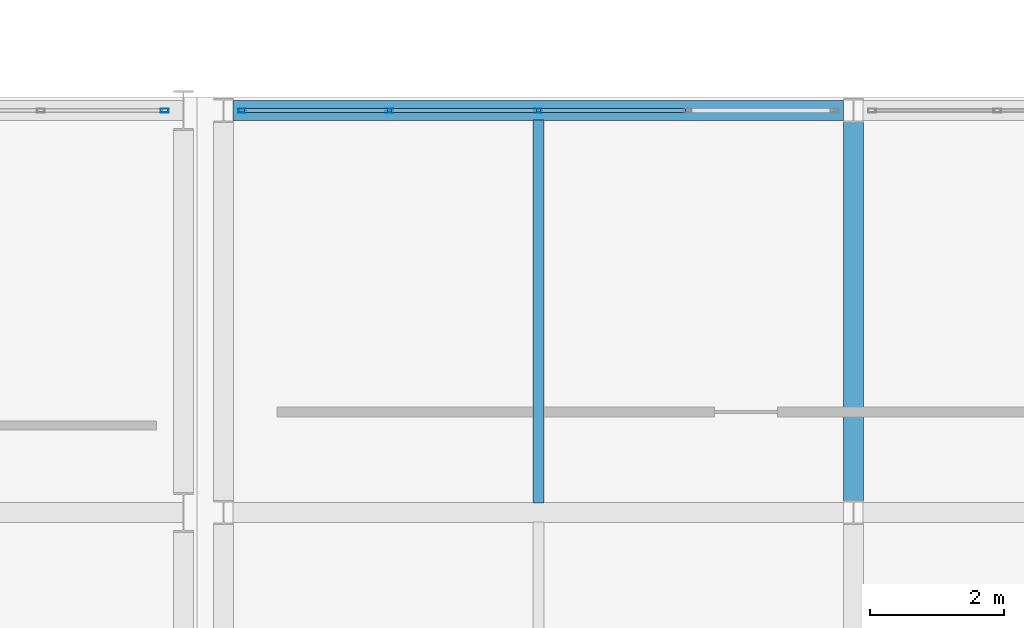
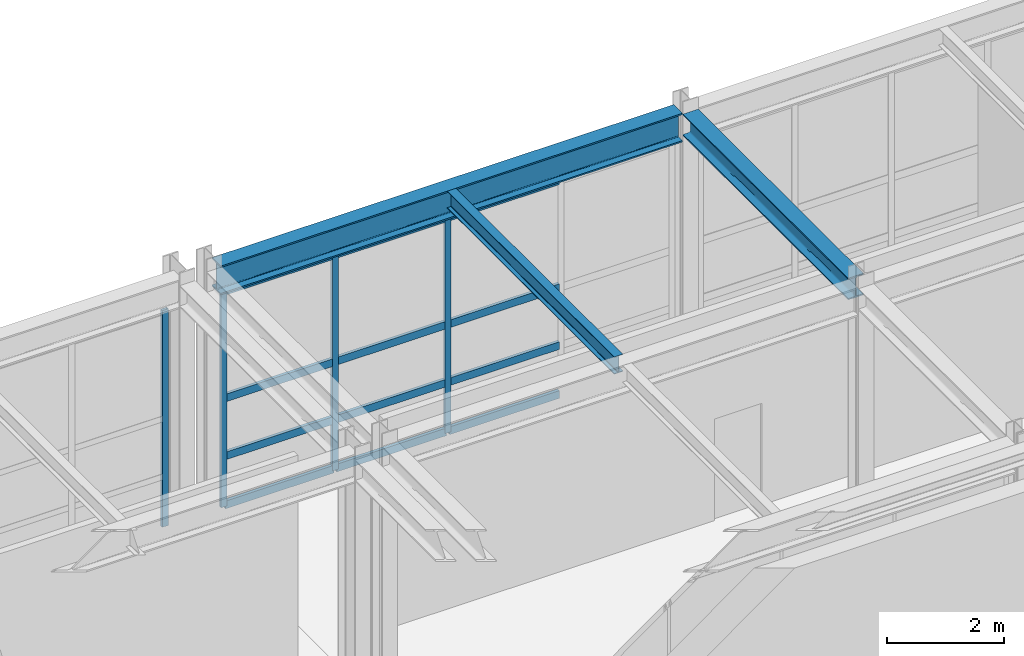
# One storey, part 127 of 210: 16 members, 3 beams, 2 elements without a shape of their own.
"""IFC4 building model written with IfcOpenShell, lengths in metres."""

from ifc_helpers import new_model, si_unit, direction, frame, origin, origin_2d, place, context, subcontext, project, spatial, hollow_rectangle, i_section, extrude, material, material_profile, profile_set, type_object, element, aggregate, save


model = new_model("IFC4")

# Units and contexts
model_context = context("Model", 3, precision=1e-05, world=origin(), true_north=direction((0.0, 1.0)))
body_context = subcontext(model_context, "Body", "Model", "MODEL_VIEW")
ifc_project = project(units=[si_unit("LENGTHUNIT", "METRE"), si_unit("AREAUNIT", "SQUARE_METRE"), si_unit("VOLUMEUNIT", "CUBIC_METRE"), si_unit("PLANEANGLEUNIT", "RADIAN"), si_unit("MASSUNIT", "GRAM", prefix="KILO")], contexts=[model_context])

# Site, building, storey
site_placement = place(None, origin())
site = spatial("IfcSite", under=ifc_project, at=site_placement, CompositionType="ELEMENT")
building_placement = place(site_placement, origin())
building = spatial("IfcBuilding", under=site, at=building_placement, Name="Kaldris Quays Convention Centre", CompositionType="ELEMENT")
storey_placement = place(building_placement, frame((0.0, 0.0, 6.0)))
storey = spatial("IfcBuildingStorey", under=building, at=storey_placement, Name="L01", CompositionType="ELEMENT", Elevation=6.0)

# Curtain wall, member
ifc_material_1 = material(Name="Anodized aluminium AW-6060 and triple glazing", Category="aluminium")
curtain_wall_type_1 = type_object("IfcCurtainWallType", Name="UNITISED CURTAIN WALL CW05", PredefinedType="NOTDEFINED", material=ifc_material_1)
curtain_wall_1_placement = place(storey_placement, origin())
curtain_wall_1 = element("IfcCurtainWall", 1, at=curtain_wall_1_placement, inside=storey, type_object=curtain_wall_type_1, Name="L01 Unitised Curtain Wall CW05 140", PredefinedType="NOTDEFINED")
ifc_material_2 = material(Name="Anodized aluminium AW-6060", Category="aluminium")
ifc_material_profile_1 = material_profile(ifc_material_2, hollow_rectangle(XDim=0.06005859375, YDim=0.1201171875, WallThickness=0.00390625, at=origin_2d()), Name="RHS 120x60x4")
ifc_profile_set_1 = profile_set([ifc_material_profile_1], Name="Anodized aluminium AW-6060")
member_type_1 = type_object("IfcMemberType", Name="CURTAIN MULLION CWM3", PredefinedType="MULLION", material=ifc_profile_set_1)
member_1_placement = place(storey_placement, frame((163.719970703125, 116.0, 0.0), z_axis=(0.0, 0.0, 1.0), x_axis=(0.0, 1.0, 0.0)))
member_1 = element("IfcMember", 2, at=member_1_placement, type_object=member_type_1, Name="CW05 mullion 10", PredefinedType="MULLION", context=body_context, shape_type="SweptSolid", body=[
    extrude(hollow_rectangle(XDim=0.06005859375, YDim=0.1201171875, WallThickness=0.00390625, at=origin_2d()), origin(), (0.0, 0.0, 1.0), 4.51806640625),
])
aggregate(curtain_wall_1, [member_1])

# Curtain wall, members
curtain_wall_type_2 = type_object("IfcCurtainWallType", Name="UNITISED CURTAIN WALL CW06", PredefinedType="NOTDEFINED", material=ifc_material_1)
curtain_wall_2_placement = place(storey_placement, origin())
curtain_wall_2 = element("IfcCurtainWall", 3, at=curtain_wall_2_placement, inside=storey, type_object=curtain_wall_type_2, Name="L01 Unitised Curtain Wall CW06 159", PredefinedType="NOTDEFINED")
member_2_placement = place(storey_placement, frame((164.8798828125, 116.0, 0.0), z_axis=(0.0, 0.0, 1.0), x_axis=(0.0, 1.0, 0.0)))
member_2 = element("IfcMember", 4, at=member_2_placement, type_object=member_type_1, Name="CW06 mullion 1", PredefinedType="MULLION", context=body_context, shape_type="SweptSolid", body=[
    extrude(hollow_rectangle(XDim=0.06005859375, YDim=0.1201171875, WallThickness=0.00390625, at=origin_2d()), origin(), (0.0, 0.0, 1.0), 4.51806640625),
])
member_3_placement = place(storey_placement, frame((167.074951171875, 116.0, 0.0), z_axis=(0.0, 0.0, 1.0), x_axis=(0.0, 1.0, 0.0)))
member_3 = element("IfcMember", 5, at=member_3_placement, type_object=member_type_1, Name="CW06 mullion 2", PredefinedType="MULLION", context=body_context, shape_type="SweptSolid", body=[
    extrude(hollow_rectangle(XDim=0.06005859375, YDim=0.1201171875, WallThickness=0.00390625, at=origin_2d()), origin(), (0.0, 0.0, 1.0), 4.51806640625),
])
member_4_placement = place(storey_placement, frame((169.300048828125, 116.0, 0.0), z_axis=(0.0, 0.0, 1.0), x_axis=(0.0, 1.0, 0.0)))
member_4 = element("IfcMember", 6, at=member_4_placement, type_object=member_type_1, Name="CW06 mullion 3", PredefinedType="MULLION", context=body_context, shape_type="SweptSolid", body=[
    extrude(hollow_rectangle(XDim=0.06005859375, YDim=0.1201171875, WallThickness=0.00390625, at=origin_2d()), origin(), (0.0, 0.0, 1.0), 4.51806640625),
])
ifc_material_profile_2 = material_profile(ifc_material_2, hollow_rectangle(XDim=0.06005859375, YDim=0.159912109375, WallThickness=0.00390625, at=origin_2d()), Name="RHS 160x60x4")
ifc_profile_set_2 = profile_set([ifc_material_profile_2], Name="Anodized aluminium AW-6060")
member_type_2 = type_object("IfcMemberType", Name="CURTAIN TRANSOM CWT2", PredefinedType="USERDEFINED", material=ifc_profile_set_2)
member_5_placement = place(storey_placement, frame((164.909912109375, 116.0, 0.030029296875), z_axis=(1.0, 0.0, 0.0), x_axis=(0.0, 1.0, 0.0)))
member_5 = element("IfcMember", 7, at=member_5_placement, type_object=member_type_2, Name="CW06 transom 1.1", ObjectType="TRANSOM", PredefinedType="USERDEFINED", context=body_context, shape_type="SweptSolid", body=[
    extrude(hollow_rectangle(XDim=0.06005859375, YDim=0.159912109375, WallThickness=0.00390625, at=origin_2d()), origin(), (0.0, 0.0, 1.0), 2.135009765625),
])
member_6_placement = place(storey_placement, frame((164.909912109375, 116.0, 1.050048828125), z_axis=(1.0, 0.0, 0.0), x_axis=(0.0, 1.0, 0.0)))
member_6 = element("IfcMember", 8, at=member_6_placement, type_object=member_type_2, Name="CW06 transom 1.2", ObjectType="TRANSOM", PredefinedType="USERDEFINED", context=body_context, shape_type="SweptSolid", body=[
    extrude(hollow_rectangle(XDim=0.06005859375, YDim=0.159912109375, WallThickness=0.00390625, at=origin_2d()), origin(), (0.0, 0.0, 1.0), 2.135009765625),
])
member_7_placement = place(storey_placement, frame((164.909912109375, 116.0, 2.259033203125), z_axis=(1.0, 0.0, 0.0), x_axis=(0.0, 1.0, 0.0)))
member_7 = element("IfcMember", 9, at=member_7_placement, type_object=member_type_2, Name="CW06 transom 1.3", ObjectType="TRANSOM", PredefinedType="USERDEFINED", context=body_context, shape_type="SweptSolid", body=[
    extrude(hollow_rectangle(XDim=0.06005859375, YDim=0.159912109375, WallThickness=0.00390625, at=origin_2d()), origin(), (0.0, 0.0, 1.0), 2.135009765625),
])
member_8_placement = place(storey_placement, frame((164.909912109375, 116.0, 4.488037109375), z_axis=(1.0, 0.0, 0.0), x_axis=(0.0, 1.0, 0.0)))
member_8 = element("IfcMember", 10, at=member_8_placement, type_object=member_type_2, Name="CW06 transom 1.4", ObjectType="TRANSOM", PredefinedType="USERDEFINED", context=body_context, shape_type="SweptSolid", body=[
    extrude(hollow_rectangle(XDim=0.06005859375, YDim=0.159912109375, WallThickness=0.00390625, at=origin_2d()), origin(), (0.0, 0.0, 1.0), 2.135009765625),
])
member_9_placement = place(storey_placement, frame((167.10498046875, 116.0, 0.030029296875), z_axis=(1.0, 0.0, 0.0), x_axis=(0.0, 1.0, 0.0)))
member_9 = element("IfcMember", 11, at=member_9_placement, type_object=member_type_2, Name="CW06 transom 2.1", ObjectType="TRANSOM", PredefinedType="USERDEFINED", context=body_context, shape_type="SweptSolid", body=[
    extrude(hollow_rectangle(XDim=0.06005859375, YDim=0.159912109375, WallThickness=0.00390625, at=origin_2d()), origin(), (0.0, 0.0, 1.0), 2.1650390625),
])
member_10_placement = place(storey_placement, frame((167.10498046875, 116.0, 1.050048828125), z_axis=(1.0, 0.0, 0.0), x_axis=(0.0, 1.0, 0.0)))
member_10 = element("IfcMember", 12, at=member_10_placement, type_object=member_type_2, Name="CW06 transom 2.2", ObjectType="TRANSOM", PredefinedType="USERDEFINED", context=body_context, shape_type="SweptSolid", body=[
    extrude(hollow_rectangle(XDim=0.06005859375, YDim=0.159912109375, WallThickness=0.00390625, at=origin_2d()), origin(), (0.0, 0.0, 1.0), 2.1650390625),
])
member_11_placement = place(storey_placement, frame((167.10498046875, 116.0, 2.259033203125), z_axis=(1.0, 0.0, 0.0), x_axis=(0.0, 1.0, 0.0)))
member_11 = element("IfcMember", 13, at=member_11_placement, type_object=member_type_2, Name="CW06 transom 2.3", ObjectType="TRANSOM", PredefinedType="USERDEFINED", context=body_context, shape_type="SweptSolid", body=[
    extrude(hollow_rectangle(XDim=0.06005859375, YDim=0.159912109375, WallThickness=0.00390625, at=origin_2d()), origin(), (0.0, 0.0, 1.0), 2.1650390625),
])
member_12_placement = place(storey_placement, frame((167.10498046875, 116.0, 4.488037109375), z_axis=(1.0, 0.0, 0.0), x_axis=(0.0, 1.0, 0.0)))
member_12 = element("IfcMember", 14, at=member_12_placement, type_object=member_type_2, Name="CW06 transom 2.4", ObjectType="TRANSOM", PredefinedType="USERDEFINED", context=body_context, shape_type="SweptSolid", body=[
    extrude(hollow_rectangle(XDim=0.06005859375, YDim=0.159912109375, WallThickness=0.00390625, at=origin_2d()), origin(), (0.0, 0.0, 1.0), 2.1650390625),
])
member_13_placement = place(storey_placement, frame((169.330078125, 116.0, 0.030029296875), z_axis=(1.0, 0.0, 0.0), x_axis=(0.0, 1.0, 0.0)))
member_13 = element("IfcMember", 15, at=member_13_placement, type_object=member_type_2, Name="CW06 transom 3.1", ObjectType="TRANSOM", PredefinedType="USERDEFINED", context=body_context, shape_type="SweptSolid", body=[
    extrude(hollow_rectangle(XDim=0.06005859375, YDim=0.159912109375, WallThickness=0.00390625, at=origin_2d()), origin(), (0.0, 0.0, 1.0), 2.1650390625),
])
member_14_placement = place(storey_placement, frame((169.330078125, 116.0, 1.050048828125), z_axis=(1.0, 0.0, 0.0), x_axis=(0.0, 1.0, 0.0)))
member_14 = element("IfcMember", 16, at=member_14_placement, type_object=member_type_2, Name="CW06 transom 3.2", ObjectType="TRANSOM", PredefinedType="USERDEFINED", context=body_context, shape_type="SweptSolid", body=[
    extrude(hollow_rectangle(XDim=0.06005859375, YDim=0.159912109375, WallThickness=0.00390625, at=origin_2d()), origin(), (0.0, 0.0, 1.0), 2.1650390625),
])
member_15_placement = place(storey_placement, frame((169.330078125, 116.0, 2.259033203125), z_axis=(1.0, 0.0, 0.0), x_axis=(0.0, 1.0, 0.0)))
member_15 = element("IfcMember", 17, at=member_15_placement, type_object=member_type_2, Name="CW06 transom 3.3", ObjectType="TRANSOM", PredefinedType="USERDEFINED", context=body_context, shape_type="SweptSolid", body=[
    extrude(hollow_rectangle(XDim=0.06005859375, YDim=0.159912109375, WallThickness=0.00390625, at=origin_2d()), origin(), (0.0, 0.0, 1.0), 2.1650390625),
])
member_16_placement = place(storey_placement, frame((169.330078125, 116.0, 4.488037109375), z_axis=(1.0, 0.0, 0.0), x_axis=(0.0, 1.0, 0.0)))
member_16 = element("IfcMember", 18, at=member_16_placement, type_object=member_type_2, Name="CW06 transom 3.4", ObjectType="TRANSOM", PredefinedType="USERDEFINED", context=body_context, shape_type="SweptSolid", body=[
    extrude(hollow_rectangle(XDim=0.06005859375, YDim=0.159912109375, WallThickness=0.00390625, at=origin_2d()), origin(), (0.0, 0.0, 1.0), 2.1650390625),
])
aggregate(curtain_wall_2, [member_2, member_3, member_4, member_5, member_6, member_7, member_8, member_9, member_10, member_11, member_12, member_13, member_14, member_15, member_16])

# Beams
ifc_material_3 = material(Name="Steel S355J2", Category="steel")
ifc_material_profile_3 = material_profile(ifc_material_3, i_section(OverallWidth=0.300048828125, OverallDepth=0.60009765625, WebThickness=0.015380859375, FlangeThickness=0.030029296875, FilletRadius=0.027099609375, at=origin_2d()), Name="HEB 600")
ifc_profile_set_3 = profile_set([ifc_material_profile_3], Name="Steel S355J2")
beam_type_1 = type_object("IfcBeamType", Name="STRUCTURAL BEAM BM05", PredefinedType="BEAM", material=ifc_profile_set_3)
beam_1_placement = place(storey_placement, frame((164.743896484375, 116.0, 4.843017578125), z_axis=(1.0, 0.0, 0.0), x_axis=(0.0, 1.0, 0.0)))
element("IfcBeam", 19, at=beam_1_placement, inside=storey, type_object=beam_type_1, Name="L01 Girder BM05 53", PredefinedType="BEAM", context=body_context, shape_type="SweptSolid", body=[
    extrude(i_section(OverallWidth=0.300048828125, OverallDepth=0.60009765625, WebThickness=0.015380859375, FlangeThickness=0.030029296875, FilletRadius=0.027099609375, at=origin_2d()), origin(), (0.0, 0.0, 1.0), 9.112060546875),
])
ifc_material_profile_4 = material_profile(ifc_material_3, i_section(OverallWidth=0.300048828125, OverallDepth=0.449951171875, WebThickness=0.013916015625, FlangeThickness=0.02587890625, FilletRadius=0.027099609375, at=origin_2d()), Name="HEB 450")
ifc_profile_set_4 = profile_set([ifc_material_profile_4], Name="Steel S355J2")
beam_type_2 = type_object("IfcBeamType", Name="STRUCTURAL BEAM BM07", PredefinedType="BEAM", material=ifc_profile_set_4)
beam_2_placement = place(storey_placement, frame((174.0, 110.174072265625, 4.91796875), z_axis=(0.0, 1.0, 0.0), x_axis=(-1.0, 0.0, 0.0)))
element("IfcBeam", 20, at=beam_2_placement, inside=storey, type_object=beam_type_2, Name="L01 Girder BM07 105", PredefinedType="BEAM", context=body_context, shape_type="SweptSolid", body=[
    extrude(i_section(OverallWidth=0.300048828125, OverallDepth=0.449951171875, WebThickness=0.013916015625, FlangeThickness=0.02587890625, FilletRadius=0.027099609375, at=origin_2d()), origin(), (0.0, 0.0, 1.0), 5.65185546875),
])
ifc_material_profile_5 = material_profile(ifc_material_3, i_section(OverallWidth=0.169921875, OverallDepth=0.360107421875, WebThickness=0.008056640625, FlangeThickness=0.0126953125, FilletRadius=0.01806640625, at=origin_2d()), Name="IPE 360")
ifc_profile_set_5 = profile_set([ifc_material_profile_5], Name="Steel S355J2")
beam_type_3 = type_object("IfcBeamType", Name="STRUCTURAL BEAM JT03", PredefinedType="JOIST", material=ifc_profile_set_5)
beam_3_placement = place(storey_placement, frame((169.300048828125, 110.14404296875, 4.962890625), z_axis=(0.0, 1.0, 0.0), x_axis=(-1.0, 0.0, 0.0)))
element("IfcBeam", 21, at=beam_3_placement, inside=storey, type_object=beam_type_3, Name="L01 Secondary Joist JT03 33", PredefinedType="JOIST", context=body_context, shape_type="SweptSolid", body=[
    extrude(i_section(OverallWidth=0.169921875, OverallDepth=0.360107421875, WebThickness=0.008056640625, FlangeThickness=0.0126953125, FilletRadius=0.01806640625, at=origin_2d()), origin(), (0.0, 0.0, 1.0), 5.7119140625),
])

save(model, "model.ifc")
